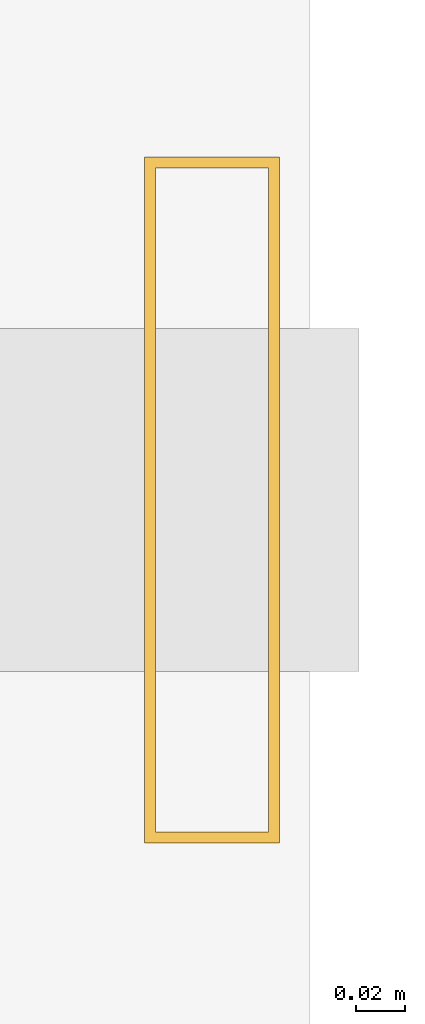
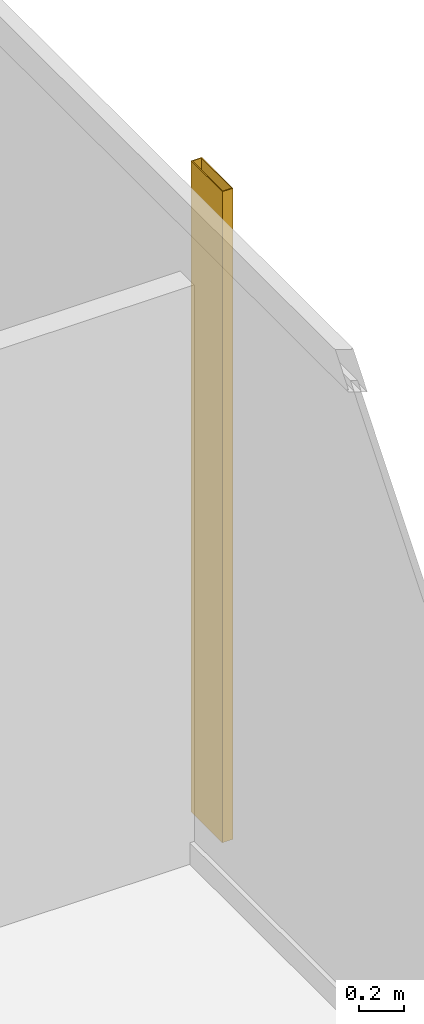
# One storey, part 23 of 23: 1 shading device.
"""IFC4 building model written with IfcOpenShell, lengths in metres."""

from ifc_helpers import new_model, si_unit, direction, frame, origin, origin_2d, place, context, subcontext, project, spatial, hollow_rectangle, extrude, material, material_profile, profile_set, type_object, element, save


model = new_model("IFC4")

# Units and contexts
model_context = context("Model", 3, precision=1e-05, world=origin(), true_north=direction((0.0, 1.0)))
body_context = subcontext(model_context, "Body", "Model", "MODEL_VIEW")
ifc_project = project(units=[si_unit("LENGTHUNIT", "METRE"), si_unit("AREAUNIT", "SQUARE_METRE"), si_unit("VOLUMEUNIT", "CUBIC_METRE"), si_unit("PLANEANGLEUNIT", "RADIAN"), si_unit("MASSUNIT", "GRAM", prefix="KILO")], contexts=[model_context])

# Site, building, storey
site_placement = place(None, origin())
site = spatial("IfcSite", under=ifc_project, at=site_placement, CompositionType="ELEMENT")
building_placement = place(site_placement, origin())
building = spatial("IfcBuilding", under=site, at=building_placement, Name="Kolvaren Waterfront Exchange", CompositionType="ELEMENT")
storey_placement = place(building_placement, frame((0.0, 0.0, 234.89990234375)))
storey = spatial("IfcBuildingStorey", under=building, at=storey_placement, Name="L60", CompositionType="ELEMENT", Elevation=234.89990234375)

# Shading device
ifc_material = material(Name="Anodised bronze aluminium 6063-T6", Category="aluminium")
ifc_material_profile = material_profile(ifc_material, hollow_rectangle(XDim=0.054931640625, YDim=0.280029296875, WallThickness=0.00439453125, at=origin_2d()), Name="BRZ-FIN-280x55x4.5")
ifc_profile_set = profile_set([ifc_material_profile], Name="Anodised bronze aluminium 6063-T6")
shading_device_type = type_object("IfcShadingDeviceType", Name="ARC-FIN-280", PredefinedType="USERDEFINED", material=ifc_profile_set)
shading_device_placement = place(storey_placement, frame((21.360107421875, 37.60009765625, 0.0), z_axis=(0.0, 0.0, 1.0), x_axis=(1.0, 0.0, 0.0)))
element("IfcShadingDevice", 1, at=shading_device_placement, inside=storey, type_object=shading_device_type, Name="L60 anodised bronze solar shading fin FIN-L60-E3", ObjectType="SOLAR FIN", PredefinedType="USERDEFINED", context=body_context, shape_type="SweptSolid", body=[
    extrude(hollow_rectangle(XDim=0.054931640625, YDim=0.280029296875, WallThickness=0.00439453125, at=origin_2d()), origin(), (0.0, 0.0, 1.0), 3.56005859375),
])

save(model, "model.ifc")
